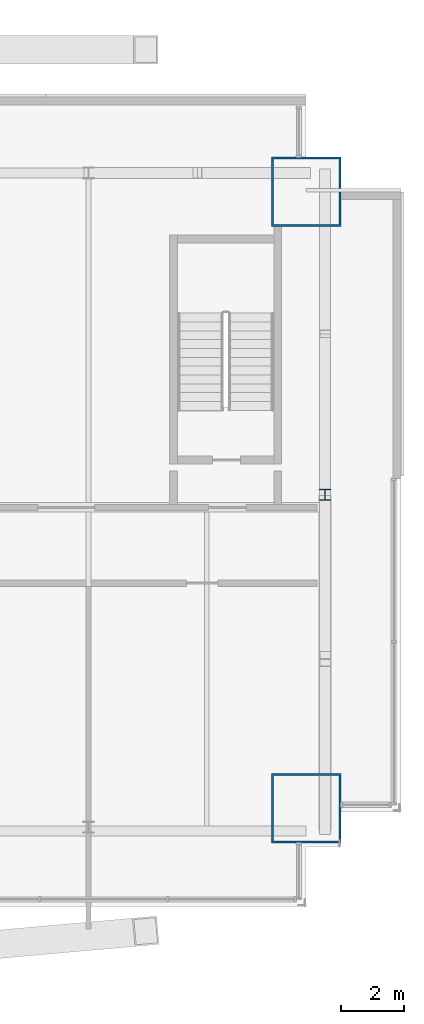
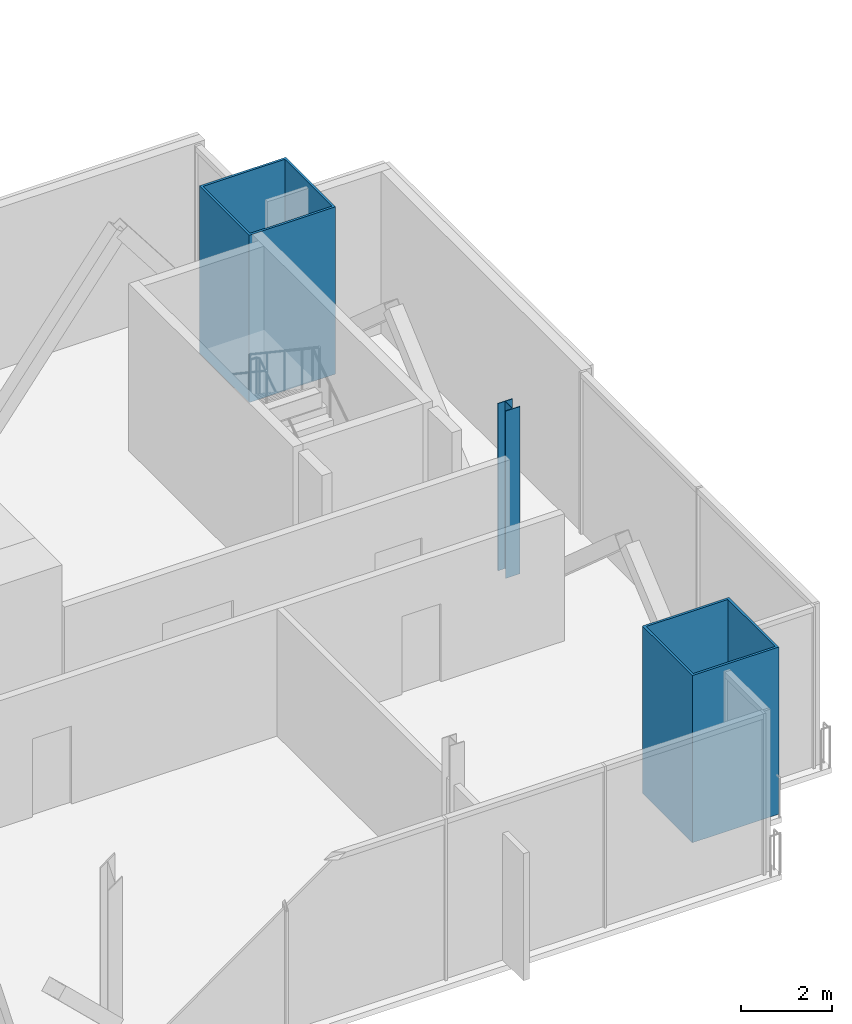
# One storey, part 4 of 19: 3 columns.
"""IFC4 building model written with IfcOpenShell, lengths in metres."""

import ifcopenshell
import ifcopenshell.guid

model = None  # the IFC model being written
_history = None  # IfcOwnerHistory: only IFC2X3 demands one
_inside = {}  # id of a spatial element -> (the spatial element, [elements in it])
_under = {}  # id of a project, library or spatial element -> (it, [spatial elements below it])
_declared = {}  # id of a project -> (the project, [libraries it declares])
_typed = {}  # id of a type object -> (the type object, [elements of that type])
_made_of = {}  # id of a material, layer set ... -> (it, [elements and type objects made of it])


def new_model(schema):
    """Start an empty IFC model of exactly this schema.

    Asked for "IFC4X3", IfcOpenShell would pick the latest addendum, in which some entities
    have other attributes; the version numbers below select the first issue.
    IFC2X3 requires an IfcOwnerHistory on every rooted entity: one is made here for all.
    """
    global model, _history
    if schema == "IFC4X3":
        model = ifcopenshell.file(schema_version=(4, 3, 0, 0))
    else:
        model = ifcopenshell.file(schema=schema)
    _inside.clear()
    _under.clear()
    _declared.clear()
    _typed.clear()
    _made_of.clear()
    _history = None
    if model.schema == "IFC2X3":
        org = make("IfcOrganization", Name="unknown")
        user = make(
            "IfcPersonAndOrganization",
            ThePerson=make("IfcPerson", FamilyName="unknown"),
            TheOrganization=org,
        )
        app = make(
            "IfcApplication",
            ApplicationDeveloper=org,
            Version="unknown",
            ApplicationFullName="unknown",
            ApplicationIdentifier="unknown",
        )
        _history = make(
            "IfcOwnerHistory",
            OwningUser=user,
            OwningApplication=app,
            ChangeAction="ADDED",
            CreationDate=0,
        )
    return model


def make(cls, **values):
    """One entity of the class cls with the attributes given. An attribute that is None is left unset."""
    return model.create_entity(
        cls, **{name: value for name, value in values.items() if value is not None}
    )


def rooted(cls, **values):
    """An entity with a GlobalId (a new one), such as an element, a storey or a relation."""
    return make(cls, GlobalId=ifcopenshell.guid.new(), OwnerHistory=_history, **values)


def si_unit(unit_type, name, prefix=None):
    """IfcSIUnit, for example si_unit("LENGTHUNIT", "METRE", prefix="MILLI")."""
    return make("IfcSIUnit", UnitType=unit_type, Prefix=prefix, Name=name)


def assignment(units):
    """IfcUnitAssignment: the units of a project."""
    return None if units is None else make("IfcUnitAssignment", Units=units)


def point(xyz):
    """IfcCartesianPoint."""
    return None if xyz is None else make("IfcCartesianPoint", Coordinates=xyz)


def direction(xyz):
    """IfcDirection."""
    return None if xyz is None else make("IfcDirection", DirectionRatios=xyz)


def frame(location, z_axis=None, x_axis=None):
    """IfcAxis2Placement3D, a coordinate frame: its origin and axes. An axis left out is left unset."""
    return make(
        "IfcAxis2Placement3D",
        Location=point(location),
        Axis=direction(z_axis),
        RefDirection=direction(x_axis),
    )


def frame_2d(location, x_axis=None):
    """IfcAxis2Placement2D, a coordinate frame in the plane: its origin and x axis."""
    return make(
        "IfcAxis2Placement2D", Location=point(location), RefDirection=direction(x_axis)
    )


def origin():
    """The frame at (0, 0, 0) with its axes left unset."""
    return frame((0.0, 0.0, 0.0))


def origin_2d():
    """The frame at (0, 0) in the plane with its x axis left unset."""
    return frame_2d((0.0, 0.0))


def place(relative_to, where):
    """IfcLocalPlacement: puts the frame where relative to a parent placement (None: the world)."""
    return make(
        "IfcLocalPlacement", PlacementRelTo=relative_to, RelativePlacement=where
    )


def context(
    kind, dimensions, precision=None, world=None, true_north=None, identifier=None
):
    """IfcGeometricRepresentationContext, for example the 3D "Model" context."""
    return make(
        "IfcGeometricRepresentationContext",
        ContextIdentifier=identifier,
        ContextType=kind,
        CoordinateSpaceDimension=dimensions,
        Precision=precision,
        WorldCoordinateSystem=world,
        TrueNorth=true_north,
    )


def subcontext(parent, identifier, kind, view, scale=None):
    """IfcGeometricRepresentationSubContext, for example "Body" below "Model"."""
    return make(
        "IfcGeometricRepresentationSubContext",
        ContextIdentifier=identifier,
        ContextType=kind,
        ParentContext=parent,
        TargetScale=scale,
        TargetView=view,
    )


def project(units=None, contexts=None):
    """IfcProject with its units and contexts."""
    return rooted(
        "IfcProject",
        Name="project",
        RepresentationContexts=contexts,
        UnitsInContext=assignment(units),
    )


def spatial(cls, under=None, at=None, **own):
    """A site, building, storey or space (cls), placed at a placement, below another one or the project."""
    s = rooted(cls, ObjectPlacement=at, **own)
    if under is not None:
        _under.setdefault(under.id(), (under, []))[1].append(s)
    return s


def profile(cls, at=None, kind="AREA", **sizes):
    """A parametric profile (cls). Its sizes go by their IFC names, for example OverallWidth=200.0."""
    return make(cls, ProfileType=kind, Position=at, **sizes)


def hollow_rectangle(**sizes):
    """IfcRectangleHollowProfileDef."""
    return profile("IfcRectangleHollowProfileDef", **sizes)


def i_section(**sizes):
    """IfcIShapeProfileDef."""
    return profile("IfcIShapeProfileDef", **sizes)


def extrude(swept, where, along, depth):
    """IfcExtrudedAreaSolid: the profile swept, set in the frame where, extruded along a direction by depth."""
    return make(
        "IfcExtrudedAreaSolid",
        SweptArea=swept,
        Position=where,
        ExtrudedDirection=direction(along),
        Depth=depth,
    )


def shape(context_of_items, identifier, shape_type, items):
    """IfcShapeRepresentation: the items that make up one representation, for example the "Body"."""
    return make(
        "IfcShapeRepresentation",
        ContextOfItems=context_of_items,
        RepresentationIdentifier=identifier,
        RepresentationType=shape_type,
        Items=items,
    )


def material(Name=None, Category=None):
    """IfcMaterial."""
    return make("IfcMaterial", Name=Name, Category=Category)


def material_profile(
    of_material, cross_section, Name=None, Category=None, Priority=None
):
    """IfcMaterialProfile: a cross section and its material."""
    return make(
        "IfcMaterialProfile",
        Name=Name,
        Material=of_material,
        Profile=cross_section,
        Priority=Priority,
        Category=Category,
    )


def profile_set(profiles, Name=None, composite=None):
    """IfcMaterialProfileSet."""
    return make(
        "IfcMaterialProfileSet",
        Name=Name,
        MaterialProfiles=profiles,
        CompositeProfile=composite,
    )


def made_of(thing, what):
    """Note that an element or type object is made of a material, layer set ...; save() writes the relation."""
    if what is not None:
        _made_of.setdefault(what.id(), (what, []))[1].append(thing)
    return thing


def type_object(cls, material=None, **own):
    """A type object (cls), such as IfcWallType, which elements share."""
    return made_of(rooted(cls, **own), material)


def element(
    cls,
    number,
    at=None,
    inside=None,
    cuts=None,
    type_object=None,
    material=None,
    context=None,
    identifier="Body",
    shape_type=None,
    held_by="IfcProductDefinitionShape",
    body=None,
    shapes=None,
    **own,
):
    """One element of the class cls, such as IfcWall. Its Tag is "e" and its number.

    at: its placement. inside: the storey or other place that contains it. cuts: it is an
    opening in that element (IfcRelVoidsElement). A single representation is given by context,
    identifier, shape_type and body (its items); several are given by shapes. held_by: the class
    of the entity that holds the representations. save() writes the other relations.
    """
    e = rooted(cls, Tag="e%d" % number, ObjectPlacement=at, **own)
    if body is not None:
        shapes = [shape(context, identifier, shape_type, body)]
    if shapes is not None:
        e.Representation = make(held_by, Representations=shapes)
    if inside is not None:
        _inside.setdefault(inside.id(), (inside, []))[1].append(e)
    if cuts is not None:
        rooted(
            "IfcRelVoidsElement", RelatingBuildingElement=cuts, RelatedOpeningElement=e
        )
    if type_object is not None:
        _typed.setdefault(type_object.id(), (type_object, []))[1].append(e)
    return made_of(e, material)


def aggregate(whole, parts):
    """IfcRelAggregates: a whole, such as a stair, and the parts it consists of."""
    return rooted("IfcRelAggregates", RelatingObject=whole, RelatedObjects=parts)


def save(model, path):
    """Write the relations noted so far, then the file.

    IfcRelAggregates (storeys below a building ...), IfcRelContainedInSpatialStructure (elements
    in a storey), IfcRelDefinesByType, IfcRelAssociatesMaterial and IfcRelDeclares: one each for
    every whole, place, type object, material and project.
    """
    for whole, parts in _under.values():
        aggregate(whole, parts)
    for where, things in _inside.values():
        rooted(
            "IfcRelContainedInSpatialStructure",
            RelatedElements=things,
            RelatingStructure=where,
        )
    for kind, things in _typed.values():
        rooted("IfcRelDefinesByType", RelatedObjects=things, RelatingType=kind)
    for what, things in _made_of.values():
        rooted("IfcRelAssociatesMaterial", RelatedObjects=things, RelatingMaterial=what)
    for by, libraries in _declared.values():
        rooted("IfcRelDeclares", RelatingContext=by, RelatedDefinitions=libraries)
    model.write(path)


model = new_model("IFC4")

# Units and contexts
model_context = context("Model", 3, precision=1e-05, world=origin(), true_north=direction((0.0, 1.0)))
body_context = subcontext(model_context, "Body", "Model", "MODEL_VIEW")
ifc_project = project(units=[si_unit("LENGTHUNIT", "METRE"), si_unit("AREAUNIT", "SQUARE_METRE"), si_unit("VOLUMEUNIT", "CUBIC_METRE"), si_unit("PLANEANGLEUNIT", "RADIAN"), si_unit("MASSUNIT", "GRAM", prefix="KILO")], contexts=[model_context])

# Site, building, storey
site_placement = place(None, origin())
site = spatial("IfcSite", under=ifc_project, at=site_placement, CompositionType="ELEMENT")
building_placement = place(site_placement, origin())
building = spatial("IfcBuilding", under=site, at=building_placement, Name="Bicima Exchange Tower", CompositionType="ELEMENT")
storey_placement = place(building_placement, frame((0.0, 0.0, 324.5)))
storey = spatial("IfcBuildingStorey", under=building, at=storey_placement, Name="L73", CompositionType="ELEMENT", Elevation=324.5)

# Columns
ifc_material_1 = material(Name="Steel ASTM A572 Gr 50", Category="steel")
ifc_material_profile_1 = material_profile(ifc_material_1, hollow_rectangle(XDim=2.199951171875, YDim=2.199951171875, WallThickness=0.06005859375, at=origin_2d()))
ifc_profile_set_1 = profile_set([ifc_material_profile_1], Name="Steel ASTM A572 Gr 50")
column_type_1 = type_object("IfcColumnType", Name="Mega column BOX 2200x2200x60", PredefinedType="COLUMN", material=ifc_profile_set_1)
for number, where, z_axis, x_axis, name in (
    (1, (33.0, -22.530029296875, 0.0), (0.0, 0.0, 1.0), (1.0, 0.0, 0.0), "Mega column mega+33.0f"),
    (2, (33.0, -3.0, 0.0), (0.0, 0.0, 1.0), (1.0, 0.0, 0.0), "Mega column mega+33.0r"),
):
    element("IfcColumn", number, at=place(storey_placement, frame(where, z_axis=z_axis, x_axis=x_axis)), inside=storey, type_object=column_type_1, Name=name, PredefinedType="COLUMN", context=body_context, shape_type="SweptSolid", body=[
        extrude(hollow_rectangle(XDim=2.199951171875, YDim=2.199951171875, WallThickness=0.06005859375, at=origin_2d()), origin(), (0.0, 0.0, 1.0), 4.5),
    ])
ifc_material_2 = material(Name="Steel ASTM A992 Gr 50", Category="steel")
ifc_material_profile_2 = material_profile(ifc_material_2, i_section(OverallWidth=0.368408203125, OverallDepth=0.355712890625, WebThickness=0.01123046875, FlangeThickness=0.01806640625, at=origin_2d()))
ifc_profile_set_2 = profile_set([ifc_material_profile_2], Name="Steel ASTM A992 Gr 50")
column_type_2 = type_object("IfcColumnType", Name="Perimeter column W14x90", PredefinedType="COLUMN", material=ifc_profile_set_2)
column_placement = place(storey_placement, frame((33.60009765625, -12.60009765625, 0.0), z_axis=(0.0, 0.0, 1.0), x_axis=(1.0, 0.0, 0.0)))
element("IfcColumn", 3, at=column_placement, inside=storey, type_object=column_type_2, Name="End column end+33.6e", PredefinedType="COLUMN", context=body_context, shape_type="SweptSolid", body=[
    extrude(i_section(OverallWidth=0.368408203125, OverallDepth=0.355712890625, WebThickness=0.01123046875, FlangeThickness=0.01806640625, at=origin_2d()), origin(), (0.0, 0.0, 1.0), 4.5),
])

save(model, "model.ifc")
